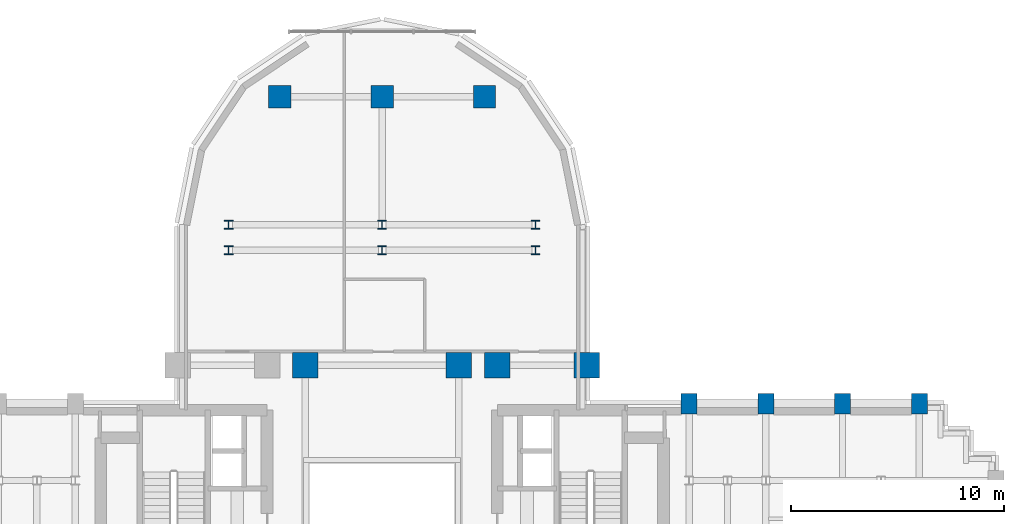
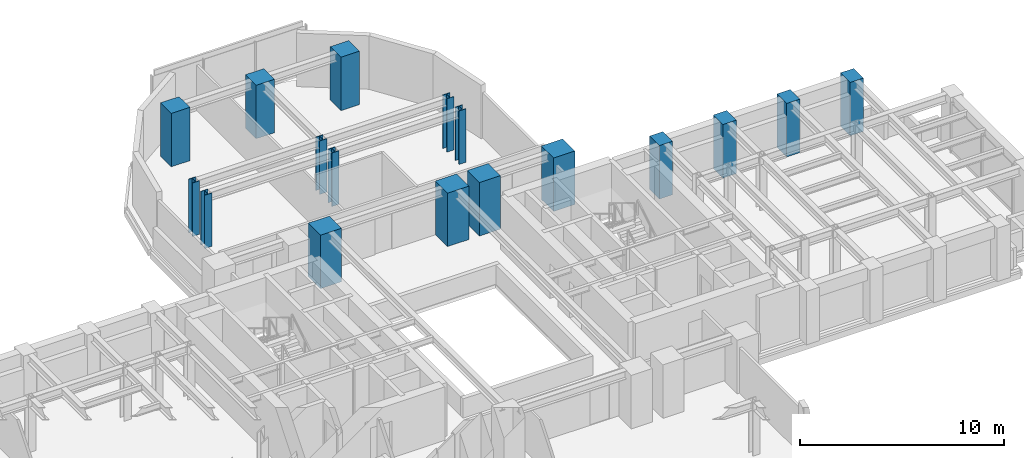
# One storey, part 2 of 16: 17 columns.
"""IFC4 building model written with IfcOpenShell, lengths in metres."""

import ifcopenshell
import ifcopenshell.guid

model = None  # the IFC model being written
_history = None  # IfcOwnerHistory: only IFC2X3 demands one
_inside = {}  # id of a spatial element -> (the spatial element, [elements in it])
_under = {}  # id of a project, library or spatial element -> (it, [spatial elements below it])
_declared = {}  # id of a project -> (the project, [libraries it declares])
_typed = {}  # id of a type object -> (the type object, [elements of that type])
_made_of = {}  # id of a material, layer set ... -> (it, [elements and type objects made of it])


def new_model(schema):
    """Start an empty IFC model of exactly this schema.

    Asked for "IFC4X3", IfcOpenShell would pick the latest addendum, in which some entities
    have other attributes; the version numbers below select the first issue.
    IFC2X3 requires an IfcOwnerHistory on every rooted entity: one is made here for all.
    """
    global model, _history
    if schema == "IFC4X3":
        model = ifcopenshell.file(schema_version=(4, 3, 0, 0))
    else:
        model = ifcopenshell.file(schema=schema)
    _inside.clear()
    _under.clear()
    _declared.clear()
    _typed.clear()
    _made_of.clear()
    _history = None
    if model.schema == "IFC2X3":
        org = make("IfcOrganization", Name="unknown")
        user = make(
            "IfcPersonAndOrganization",
            ThePerson=make("IfcPerson", FamilyName="unknown"),
            TheOrganization=org,
        )
        app = make(
            "IfcApplication",
            ApplicationDeveloper=org,
            Version="unknown",
            ApplicationFullName="unknown",
            ApplicationIdentifier="unknown",
        )
        _history = make(
            "IfcOwnerHistory",
            OwningUser=user,
            OwningApplication=app,
            ChangeAction="ADDED",
            CreationDate=0,
        )
    return model


def make(cls, **values):
    """One entity of the class cls with the attributes given. An attribute that is None is left unset."""
    return model.create_entity(
        cls, **{name: value for name, value in values.items() if value is not None}
    )


def rooted(cls, **values):
    """An entity with a GlobalId (a new one), such as an element, a storey or a relation."""
    return make(cls, GlobalId=ifcopenshell.guid.new(), OwnerHistory=_history, **values)


def si_unit(unit_type, name, prefix=None):
    """IfcSIUnit, for example si_unit("LENGTHUNIT", "METRE", prefix="MILLI")."""
    return make("IfcSIUnit", UnitType=unit_type, Prefix=prefix, Name=name)


def assignment(units):
    """IfcUnitAssignment: the units of a project."""
    return None if units is None else make("IfcUnitAssignment", Units=units)


def point(xyz):
    """IfcCartesianPoint."""
    return None if xyz is None else make("IfcCartesianPoint", Coordinates=xyz)


def direction(xyz):
    """IfcDirection."""
    return None if xyz is None else make("IfcDirection", DirectionRatios=xyz)


def frame(location, z_axis=None, x_axis=None):
    """IfcAxis2Placement3D, a coordinate frame: its origin and axes. An axis left out is left unset."""
    return make(
        "IfcAxis2Placement3D",
        Location=point(location),
        Axis=direction(z_axis),
        RefDirection=direction(x_axis),
    )


def frame_2d(location, x_axis=None):
    """IfcAxis2Placement2D, a coordinate frame in the plane: its origin and x axis."""
    return make(
        "IfcAxis2Placement2D", Location=point(location), RefDirection=direction(x_axis)
    )


def origin():
    """The frame at (0, 0, 0) with its axes left unset."""
    return frame((0.0, 0.0, 0.0))


def origin_2d():
    """The frame at (0, 0) in the plane with its x axis left unset."""
    return frame_2d((0.0, 0.0))


def place(relative_to, where):
    """IfcLocalPlacement: puts the frame where relative to a parent placement (None: the world)."""
    return make(
        "IfcLocalPlacement", PlacementRelTo=relative_to, RelativePlacement=where
    )


def context(
    kind, dimensions, precision=None, world=None, true_north=None, identifier=None
):
    """IfcGeometricRepresentationContext, for example the 3D "Model" context."""
    return make(
        "IfcGeometricRepresentationContext",
        ContextIdentifier=identifier,
        ContextType=kind,
        CoordinateSpaceDimension=dimensions,
        Precision=precision,
        WorldCoordinateSystem=world,
        TrueNorth=true_north,
    )


def subcontext(parent, identifier, kind, view, scale=None):
    """IfcGeometricRepresentationSubContext, for example "Body" below "Model"."""
    return make(
        "IfcGeometricRepresentationSubContext",
        ContextIdentifier=identifier,
        ContextType=kind,
        ParentContext=parent,
        TargetScale=scale,
        TargetView=view,
    )


def project(units=None, contexts=None):
    """IfcProject with its units and contexts."""
    return rooted(
        "IfcProject",
        Name="project",
        RepresentationContexts=contexts,
        UnitsInContext=assignment(units),
    )


def spatial(cls, under=None, at=None, **own):
    """A site, building, storey or space (cls), placed at a placement, below another one or the project."""
    s = rooted(cls, ObjectPlacement=at, **own)
    if under is not None:
        _under.setdefault(under.id(), (under, []))[1].append(s)
    return s


def profile(cls, at=None, kind="AREA", **sizes):
    """A parametric profile (cls). Its sizes go by their IFC names, for example OverallWidth=200.0."""
    return make(cls, ProfileType=kind, Position=at, **sizes)


def rectangle(**sizes):
    """IfcRectangleProfileDef."""
    return profile("IfcRectangleProfileDef", **sizes)


def i_section(**sizes):
    """IfcIShapeProfileDef."""
    return profile("IfcIShapeProfileDef", **sizes)


def extrude(swept, where, along, depth):
    """IfcExtrudedAreaSolid: the profile swept, set in the frame where, extruded along a direction by depth."""
    return make(
        "IfcExtrudedAreaSolid",
        SweptArea=swept,
        Position=where,
        ExtrudedDirection=direction(along),
        Depth=depth,
    )


def shape(context_of_items, identifier, shape_type, items):
    """IfcShapeRepresentation: the items that make up one representation, for example the "Body"."""
    return make(
        "IfcShapeRepresentation",
        ContextOfItems=context_of_items,
        RepresentationIdentifier=identifier,
        RepresentationType=shape_type,
        Items=items,
    )


def source(mapping_origin, context_of_items, identifier, shape_type, items):
    """IfcRepresentationMap: a shape defined once, which mapped items show again and again."""
    return make(
        "IfcRepresentationMap",
        MappingOrigin=mapping_origin,
        MappedRepresentation=shape(context_of_items, identifier, shape_type, items),
    )


def transform(
    local_origin,
    x_axis=None,
    y_axis=None,
    z_axis=None,
    scale=None,
    scale2=None,
    scale3=None,
    uniform=True,
):
    """IfcCartesianTransformationOperator3D, or its non-uniform kind. x_axis, y_axis, z_axis: its Axis1, 2, 3."""
    if uniform:
        return make(
            "IfcCartesianTransformationOperator3D",
            Axis1=direction(x_axis),
            Axis2=direction(y_axis),
            LocalOrigin=point(local_origin),
            Scale=scale,
            Axis3=direction(z_axis),
        )
    return make(
        "IfcCartesianTransformationOperator3DnonUniform",
        Axis1=direction(x_axis),
        Axis2=direction(y_axis),
        LocalOrigin=point(local_origin),
        Scale=scale,
        Axis3=direction(z_axis),
        Scale2=scale2,
        Scale3=scale3,
    )


def mapped(mapping_source, mapping_target):
    """IfcMappedItem: shows the shape of a source again, moved by a transform."""
    return make(
        "IfcMappedItem", MappingSource=mapping_source, MappingTarget=mapping_target
    )


def material(Name=None, Category=None):
    """IfcMaterial."""
    return make("IfcMaterial", Name=Name, Category=Category)


def material_profile(
    of_material, cross_section, Name=None, Category=None, Priority=None
):
    """IfcMaterialProfile: a cross section and its material."""
    return make(
        "IfcMaterialProfile",
        Name=Name,
        Material=of_material,
        Profile=cross_section,
        Priority=Priority,
        Category=Category,
    )


def profile_set(profiles, Name=None, composite=None):
    """IfcMaterialProfileSet."""
    return make(
        "IfcMaterialProfileSet",
        Name=Name,
        MaterialProfiles=profiles,
        CompositeProfile=composite,
    )


def made_of(thing, what):
    """Note that an element or type object is made of a material, layer set ...; save() writes the relation."""
    if what is not None:
        _made_of.setdefault(what.id(), (what, []))[1].append(thing)
    return thing


def type_object(cls, material=None, **own):
    """A type object (cls), such as IfcWallType, which elements share."""
    return made_of(rooted(cls, **own), material)


def element(
    cls,
    number,
    at=None,
    inside=None,
    cuts=None,
    type_object=None,
    material=None,
    context=None,
    identifier="Body",
    shape_type=None,
    held_by="IfcProductDefinitionShape",
    body=None,
    shapes=None,
    **own,
):
    """One element of the class cls, such as IfcWall. Its Tag is "e" and its number.

    at: its placement. inside: the storey or other place that contains it. cuts: it is an
    opening in that element (IfcRelVoidsElement). A single representation is given by context,
    identifier, shape_type and body (its items); several are given by shapes. held_by: the class
    of the entity that holds the representations. save() writes the other relations.
    """
    e = rooted(cls, Tag="e%d" % number, ObjectPlacement=at, **own)
    if body is not None:
        shapes = [shape(context, identifier, shape_type, body)]
    if shapes is not None:
        e.Representation = make(held_by, Representations=shapes)
    if inside is not None:
        _inside.setdefault(inside.id(), (inside, []))[1].append(e)
    if cuts is not None:
        rooted(
            "IfcRelVoidsElement", RelatingBuildingElement=cuts, RelatedOpeningElement=e
        )
    if type_object is not None:
        _typed.setdefault(type_object.id(), (type_object, []))[1].append(e)
    return made_of(e, material)


def aggregate(whole, parts):
    """IfcRelAggregates: a whole, such as a stair, and the parts it consists of."""
    return rooted("IfcRelAggregates", RelatingObject=whole, RelatedObjects=parts)


def save(model, path):
    """Write the relations noted so far, then the file.

    IfcRelAggregates (storeys below a building ...), IfcRelContainedInSpatialStructure (elements
    in a storey), IfcRelDefinesByType, IfcRelAssociatesMaterial and IfcRelDeclares: one each for
    every whole, place, type object, material and project.
    """
    for whole, parts in _under.values():
        aggregate(whole, parts)
    for where, things in _inside.values():
        rooted(
            "IfcRelContainedInSpatialStructure",
            RelatedElements=things,
            RelatingStructure=where,
        )
    for kind, things in _typed.values():
        rooted("IfcRelDefinesByType", RelatedObjects=things, RelatingType=kind)
    for what, things in _made_of.values():
        rooted("IfcRelAssociatesMaterial", RelatedObjects=things, RelatingMaterial=what)
    for by, libraries in _declared.values():
        rooted("IfcRelDeclares", RelatingContext=by, RelatedDefinitions=libraries)
    model.write(path)


model = new_model("IFC4")

# Units and contexts
model_context = context("Model", 3, precision=1e-05, world=origin(), true_north=direction((0.0, 1.0)))
body_context = subcontext(model_context, "Body", "Model", "MODEL_VIEW")
ifc_project = project(units=[si_unit("LENGTHUNIT", "METRE"), si_unit("AREAUNIT", "SQUARE_METRE"), si_unit("VOLUMEUNIT", "CUBIC_METRE"), si_unit("PLANEANGLEUNIT", "RADIAN"), si_unit("MASSUNIT", "GRAM", prefix="KILO")], contexts=[model_context])

# Site, building, storey
site_placement = place(None, origin())
site = spatial("IfcSite", under=ifc_project, at=site_placement, CompositionType="ELEMENT")
building_placement = place(site_placement, origin())
building = spatial("IfcBuilding", under=site, at=building_placement, Name="Keilestroom Media Tower", CompositionType="ELEMENT")
storey_placement = place(building_placement, frame((0.0, 0.0, 34.0)))
storey = spatial("IfcBuildingStorey", under=building, at=storey_placement, Name="L07", CompositionType="ELEMENT", Elevation=34.0)

# Columns
ifc_material_1 = material(Name="Precast concrete C40/50", Category="concrete")
ifc_material_profile_1 = material_profile(ifc_material_1, rectangle(XDim=0.75, YDim=0.949951171875, at=origin_2d()), Name="PC 950x750")
ifc_profile_set_1 = profile_set([ifc_material_profile_1], Name="Precast concrete C40/50")
column_type_1 = type_object("IfcColumnType", Name="Structural-Column-PC-950x750", PredefinedType="COLUMN", material=ifc_profile_set_1)
shared_shape_1 = source(origin(), body_context, "Body", "SweptSolid", [
    extrude(rectangle(XDim=0.75, YDim=0.949951171875, at=origin_2d()), origin(), (0.0, 0.0, 1.0), 3.199951171875),
])
for number, where, z_axis, x_axis, name in (
    (1, (14.39990234375, 7.199951171875, 0.0), (0.0, 0.0, 1.0), (1.0, 0.0, 0.0), "L07 Column PC-1 (+14.4,+7.2)"),
    (2, (18.0, 7.199951171875, 0.0), (0.0, 0.0, 1.0), (1.0, 0.0, 0.0), "L07 Column PC-1 (+18.0,+7.2)"),
    (3, (21.60009765625, 7.199951171875, 0.0), (0.0, 0.0, 1.0), (1.0, 0.0, 0.0), "L07 Column PC-1 (+21.6,+7.2)"),
    (4, (25.199951171875, 7.199951171875, 0.0), (0.0, 0.0, 1.0), (1.0, 0.0, 0.0), "L07 Column PC-1 (+25.2,+7.2)"),
):
    element("IfcColumn", number, at=place(storey_placement, frame(where, z_axis=z_axis, x_axis=x_axis)), inside=storey, type_object=column_type_1, Name=name, PredefinedType="COLUMN", context=body_context, shape_type="MappedRepresentation", body=[
        mapped(shared_shape_1, transform((0.0, 0.0, 0.0), x_axis=(1.0, 0.0, 0.0), y_axis=(0.0, 1.0, 0.0), z_axis=(0.0, 0.0, 1.0), scale=1.0)),
    ])
ifc_material_2 = material(Name="Steel S460", Category="steel")
ifc_material_profile_2 = material_profile(ifc_material_2, i_section(OverallWidth=0.404052734375, OverallDepth=0.406982421875, WebThickness=0.02197265625, FlangeThickness=0.035400390625, at=origin_2d()), Name="HD 400x347")
ifc_profile_set_2 = profile_set([ifc_material_profile_2], Name="Steel S460")
column_type_2 = type_object("IfcColumnType", Name="Structural-Column-HD-400x347", PredefinedType="COLUMN", material=ifc_profile_set_2)
shared_shape_2 = source(origin(), body_context, "Body", "SweptSolid", [
    extrude(i_section(OverallWidth=0.404052734375, OverallDepth=0.406982421875, WebThickness=0.02197265625, FlangeThickness=0.035400390625, at=origin_2d()), origin(), (0.0, 0.0, 1.0), 3.199951171875),
])
for number, where, z_axis, x_axis, name in (
    (5, (-7.199951171875, 14.39990234375, 0.0), (0.0, 0.0, 1.0), (1.0, 0.0, 0.0), "L07 Column SC-2 (-7.2,+14.4)"),
    (6, (-7.199951171875, 15.60009765625, 0.0), (0.0, 0.0, 1.0), (1.0, 0.0, 0.0), "L07 Column SC-2 (-7.2,+15.6)"),
    (7, (0.0, 14.39990234375, 0.0), (0.0, 0.0, 1.0), (1.0, 0.0, 0.0), "L07 Column SC-2 (+0.0,+14.4)"),
    (8, (0.0, 15.60009765625, 0.0), (0.0, 0.0, 1.0), (1.0, 0.0, 0.0), "L07 Column SC-2 (+0.0,+15.6)"),
    (9, (7.199951171875, 14.39990234375, 0.0), (0.0, 0.0, 1.0), (1.0, 0.0, 0.0), "L07 Column SC-2 (+7.2,+14.4)"),
    (10, (7.199951171875, 15.60009765625, 0.0), (0.0, 0.0, 1.0), (1.0, 0.0, 0.0), "L07 Column SC-2 (+7.2,+15.6)"),
):
    element("IfcColumn", number, at=place(storey_placement, frame(where, z_axis=z_axis, x_axis=x_axis)), inside=storey, type_object=column_type_2, Name=name, PredefinedType="COLUMN", context=body_context, shape_type="MappedRepresentation", body=[
        mapped(shared_shape_2, transform((0.0, 0.0, 0.0), x_axis=(1.0, 0.0, 0.0), y_axis=(0.0, 1.0, 0.0), z_axis=(0.0, 0.0, 1.0), scale=1.0)),
    ])
ifc_material_3 = material(Name="Concrete C70/85", Category="concrete")
ifc_material_profile_3 = material_profile(ifc_material_3, rectangle(XDim=1.199951171875, YDim=1.199951171875, at=origin_2d()), Name="RC 1200x1200")
ifc_profile_set_3 = profile_set([ifc_material_profile_3], Name="Concrete C70/85")
column_type_3 = type_object("IfcColumnType", Name="Structural-Column-RC-1200x1200", PredefinedType="COLUMN", material=ifc_profile_set_3)
shared_shape_3 = source(origin(), body_context, "Body", "SweptSolid", [
    extrude(rectangle(XDim=1.199951171875, YDim=1.199951171875, at=origin_2d()), origin(), (0.0, 0.0, 1.0), 3.199951171875),
])
for number, where, z_axis, x_axis, name in (
    (11, (-3.60009765625, 9.0, 0.0), (0.0, 0.0, 1.0), (1.0, 0.0, 0.0), "L07 Column MC-2 (-3.6,+9.0)"),
    (12, (3.60009765625, 9.0, 0.0), (0.0, 0.0, 1.0), (1.0, 0.0, 0.0), "L07 Column MC-2 (+3.6,+9.0)"),
    (13, (5.39990234375, 9.0, 0.0), (0.0, 0.0, 1.0), (1.0, 0.0, 0.0), "L07 Column MC-2 (+5.4,+9.0)"),
    (14, (9.60009765625, 9.0, 0.0), (0.0, 0.0, 1.0), (1.0, 0.0, 0.0), "L07 Column MC-2 (+9.6,+9.0)"),
):
    element("IfcColumn", number, at=place(storey_placement, frame(where, z_axis=z_axis, x_axis=x_axis)), inside=storey, type_object=column_type_3, Name=name, PredefinedType="COLUMN", context=body_context, shape_type="MappedRepresentation", body=[
        mapped(shared_shape_3, transform((0.0, 0.0, 0.0), x_axis=(1.0, 0.0, 0.0), y_axis=(0.0, 1.0, 0.0), z_axis=(0.0, 0.0, 1.0), scale=1.0)),
    ])
ifc_material_4 = material(Name="Concrete C55/67", Category="concrete")
ifc_material_profile_4 = material_profile(ifc_material_4, rectangle(XDim=1.050048828125, YDim=1.050048828125, at=origin_2d()), Name="RC 1050x1050")
ifc_profile_set_4 = profile_set([ifc_material_profile_4], Name="Concrete C55/67")
column_type_4 = type_object("IfcColumnType", Name="Structural-Column-RC-1050x1050", PredefinedType="COLUMN", material=ifc_profile_set_4)
shared_shape_4 = source(origin(), body_context, "Body", "SweptSolid", [
    extrude(rectangle(XDim=1.050048828125, YDim=1.050048828125, at=origin_2d()), origin(), (0.0, 0.0, 1.0), 3.199951171875),
])
for number, where, z_axis, x_axis, name in (
    (15, (-4.800048828125, 21.60009765625, 0.0), (0.0, 0.0, 1.0), (1.0, 0.0, 0.0), "L07 Column MC-3 (-4.8,+21.6)"),
    (16, (0.0, 21.60009765625, 0.0), (0.0, 0.0, 1.0), (1.0, 0.0, 0.0), "L07 Column MC-3 (+0.0,+21.6)"),
    (17, (4.800048828125, 21.60009765625, 0.0), (0.0, 0.0, 1.0), (1.0, 0.0, 0.0), "L07 Column MC-3 (+4.8,+21.6)"),
):
    element("IfcColumn", number, at=place(storey_placement, frame(where, z_axis=z_axis, x_axis=x_axis)), inside=storey, type_object=column_type_4, Name=name, PredefinedType="COLUMN", context=body_context, shape_type="MappedRepresentation", body=[
        mapped(shared_shape_4, transform((0.0, 0.0, 0.0), x_axis=(1.0, 0.0, 0.0), y_axis=(0.0, 1.0, 0.0), z_axis=(0.0, 0.0, 1.0), scale=1.0)),
    ])

save(model, "model.ifc")
